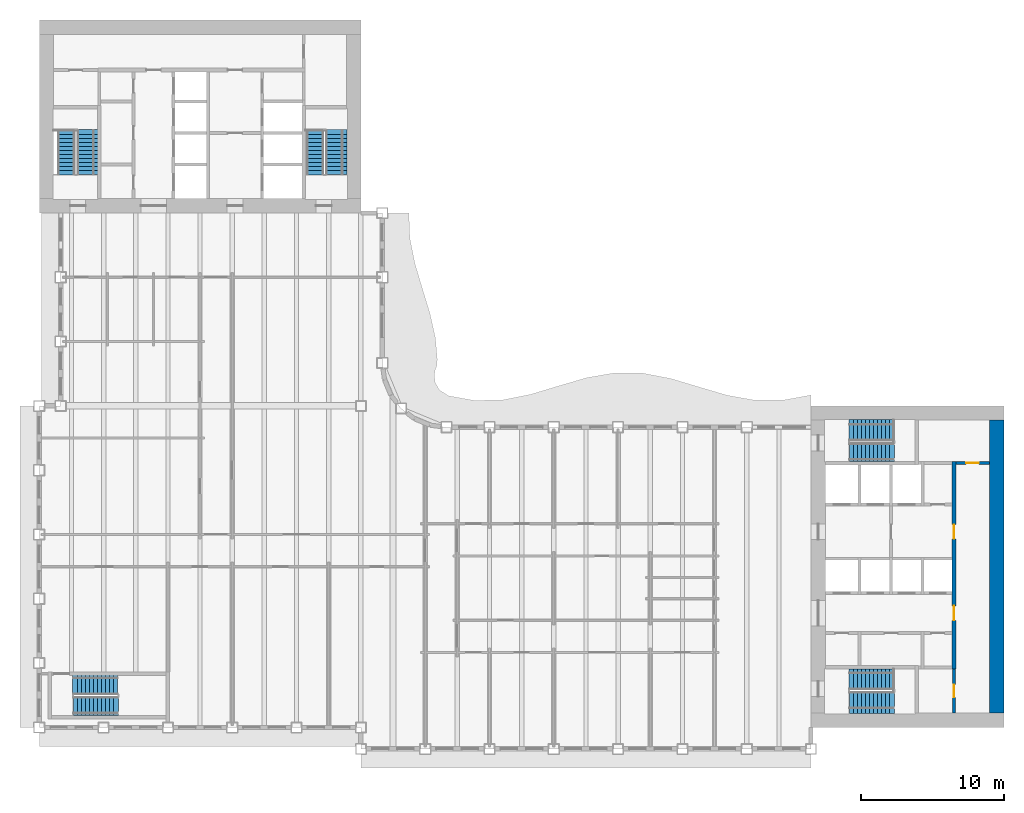
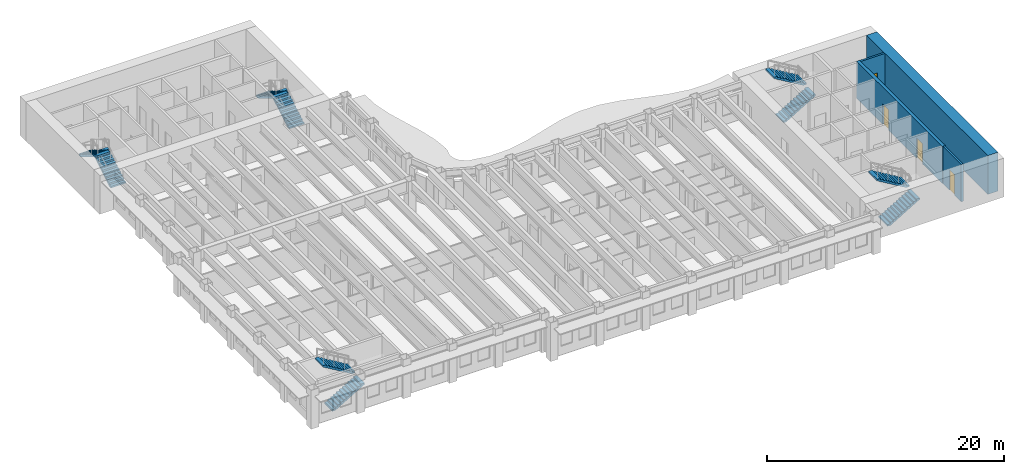
# One storey, part 10 of 16: 10 stair flights, 4 doors, 4 walls, 4 openings, 5 elements without a shape of their own.
"""IFC4 building model written with IfcOpenShell, lengths in metres."""

import ifcopenshell
import ifcopenshell.guid

model = None  # the IFC model being written
_history = None  # IfcOwnerHistory: only IFC2X3 demands one
_inside = {}  # id of a spatial element -> (the spatial element, [elements in it])
_under = {}  # id of a project, library or spatial element -> (it, [spatial elements below it])
_declared = {}  # id of a project -> (the project, [libraries it declares])
_typed = {}  # id of a type object -> (the type object, [elements of that type])
_made_of = {}  # id of a material, layer set ... -> (it, [elements and type objects made of it])


def new_model(schema):
    """Start an empty IFC model of exactly this schema.

    Asked for "IFC4X3", IfcOpenShell would pick the latest addendum, in which some entities
    have other attributes; the version numbers below select the first issue.
    IFC2X3 requires an IfcOwnerHistory on every rooted entity: one is made here for all.
    """
    global model, _history
    if schema == "IFC4X3":
        model = ifcopenshell.file(schema_version=(4, 3, 0, 0))
    else:
        model = ifcopenshell.file(schema=schema)
    _inside.clear()
    _under.clear()
    _declared.clear()
    _typed.clear()
    _made_of.clear()
    _history = None
    if model.schema == "IFC2X3":
        org = make("IfcOrganization", Name="unknown")
        user = make(
            "IfcPersonAndOrganization",
            ThePerson=make("IfcPerson", FamilyName="unknown"),
            TheOrganization=org,
        )
        app = make(
            "IfcApplication",
            ApplicationDeveloper=org,
            Version="unknown",
            ApplicationFullName="unknown",
            ApplicationIdentifier="unknown",
        )
        _history = make(
            "IfcOwnerHistory",
            OwningUser=user,
            OwningApplication=app,
            ChangeAction="ADDED",
            CreationDate=0,
        )
    return model


def make(cls, **values):
    """One entity of the class cls with the attributes given. An attribute that is None is left unset."""
    return model.create_entity(
        cls, **{name: value for name, value in values.items() if value is not None}
    )


def rooted(cls, **values):
    """An entity with a GlobalId (a new one), such as an element, a storey or a relation."""
    return make(cls, GlobalId=ifcopenshell.guid.new(), OwnerHistory=_history, **values)


def si_unit(unit_type, name, prefix=None):
    """IfcSIUnit, for example si_unit("LENGTHUNIT", "METRE", prefix="MILLI")."""
    return make("IfcSIUnit", UnitType=unit_type, Prefix=prefix, Name=name)


def assignment(units):
    """IfcUnitAssignment: the units of a project."""
    return None if units is None else make("IfcUnitAssignment", Units=units)


def point(xyz):
    """IfcCartesianPoint."""
    return None if xyz is None else make("IfcCartesianPoint", Coordinates=xyz)


def direction(xyz):
    """IfcDirection."""
    return None if xyz is None else make("IfcDirection", DirectionRatios=xyz)


def frame(location, z_axis=None, x_axis=None):
    """IfcAxis2Placement3D, a coordinate frame: its origin and axes. An axis left out is left unset."""
    return make(
        "IfcAxis2Placement3D",
        Location=point(location),
        Axis=direction(z_axis),
        RefDirection=direction(x_axis),
    )


def frame_2d(location, x_axis=None):
    """IfcAxis2Placement2D, a coordinate frame in the plane: its origin and x axis."""
    return make(
        "IfcAxis2Placement2D", Location=point(location), RefDirection=direction(x_axis)
    )


def origin():
    """The frame at (0, 0, 0) with its axes left unset."""
    return frame((0.0, 0.0, 0.0))


def place(relative_to, where):
    """IfcLocalPlacement: puts the frame where relative to a parent placement (None: the world)."""
    return make(
        "IfcLocalPlacement", PlacementRelTo=relative_to, RelativePlacement=where
    )


def context(
    kind, dimensions, precision=None, world=None, true_north=None, identifier=None
):
    """IfcGeometricRepresentationContext, for example the 3D "Model" context."""
    return make(
        "IfcGeometricRepresentationContext",
        ContextIdentifier=identifier,
        ContextType=kind,
        CoordinateSpaceDimension=dimensions,
        Precision=precision,
        WorldCoordinateSystem=world,
        TrueNorth=true_north,
    )


def subcontext(parent, identifier, kind, view, scale=None):
    """IfcGeometricRepresentationSubContext, for example "Body" below "Model"."""
    return make(
        "IfcGeometricRepresentationSubContext",
        ContextIdentifier=identifier,
        ContextType=kind,
        ParentContext=parent,
        TargetScale=scale,
        TargetView=view,
    )


def project(units=None, contexts=None):
    """IfcProject with its units and contexts."""
    return rooted(
        "IfcProject",
        Name="project",
        RepresentationContexts=contexts,
        UnitsInContext=assignment(units),
    )


def spatial(cls, under=None, at=None, **own):
    """A site, building, storey or space (cls), placed at a placement, below another one or the project."""
    s = rooted(cls, ObjectPlacement=at, **own)
    if under is not None:
        _under.setdefault(under.id(), (under, []))[1].append(s)
    return s


def polyline(points):
    """IfcPolyline through the points."""
    return make("IfcPolyline", Points=[point(p) for p in points])


def profile(cls, at=None, kind="AREA", **sizes):
    """A parametric profile (cls). Its sizes go by their IFC names, for example OverallWidth=200.0."""
    return make(cls, ProfileType=kind, Position=at, **sizes)


def rectangle(**sizes):
    """IfcRectangleProfileDef."""
    return profile("IfcRectangleProfileDef", **sizes)


def outline(outer, holes=None, kind="AREA"):
    """IfcArbitraryClosedProfileDef: a profile drawn as a closed curve; with holes, ...WithVoids."""
    if holes is None:
        return make("IfcArbitraryClosedProfileDef", ProfileType=kind, OuterCurve=outer)
    return make(
        "IfcArbitraryProfileDefWithVoids",
        ProfileType=kind,
        OuterCurve=outer,
        InnerCurves=holes,
    )


def extrude(swept, where, along, depth):
    """IfcExtrudedAreaSolid: the profile swept, set in the frame where, extruded along a direction by depth."""
    return make(
        "IfcExtrudedAreaSolid",
        SweptArea=swept,
        Position=where,
        ExtrudedDirection=direction(along),
        Depth=depth,
    )


def shape(context_of_items, identifier, shape_type, items):
    """IfcShapeRepresentation: the items that make up one representation, for example the "Body"."""
    return make(
        "IfcShapeRepresentation",
        ContextOfItems=context_of_items,
        RepresentationIdentifier=identifier,
        RepresentationType=shape_type,
        Items=items,
    )


def material(Name=None, Category=None):
    """IfcMaterial."""
    return make("IfcMaterial", Name=Name, Category=Category)


def layer(
    of_material, thickness, ventilated=None, Name=None, Category=None, Priority=None
):
    """IfcMaterialLayer: one layer of a wall or slab, of a material (None: an air gap)."""
    return make(
        "IfcMaterialLayer",
        Material=of_material,
        LayerThickness=thickness,
        IsVentilated=ventilated,
        Name=Name,
        Category=Category,
        Priority=Priority,
    )


def layer_set(layers, Name=None):
    """IfcMaterialLayerSet."""
    return make("IfcMaterialLayerSet", MaterialLayers=layers, LayerSetName=Name)


def made_of(thing, what):
    """Note that an element or type object is made of a material, layer set ...; save() writes the relation."""
    if what is not None:
        _made_of.setdefault(what.id(), (what, []))[1].append(thing)
    return thing


def type_object(cls, material=None, **own):
    """A type object (cls), such as IfcWallType, which elements share."""
    return made_of(rooted(cls, **own), material)


def element(
    cls,
    number,
    at=None,
    inside=None,
    cuts=None,
    type_object=None,
    material=None,
    context=None,
    identifier="Body",
    shape_type=None,
    held_by="IfcProductDefinitionShape",
    body=None,
    shapes=None,
    **own,
):
    """One element of the class cls, such as IfcWall. Its Tag is "e" and its number.

    at: its placement. inside: the storey or other place that contains it. cuts: it is an
    opening in that element (IfcRelVoidsElement). A single representation is given by context,
    identifier, shape_type and body (its items); several are given by shapes. held_by: the class
    of the entity that holds the representations. save() writes the other relations.
    """
    e = rooted(cls, Tag="e%d" % number, ObjectPlacement=at, **own)
    if body is not None:
        shapes = [shape(context, identifier, shape_type, body)]
    if shapes is not None:
        e.Representation = make(held_by, Representations=shapes)
    if inside is not None:
        _inside.setdefault(inside.id(), (inside, []))[1].append(e)
    if cuts is not None:
        rooted(
            "IfcRelVoidsElement", RelatingBuildingElement=cuts, RelatedOpeningElement=e
        )
    if type_object is not None:
        _typed.setdefault(type_object.id(), (type_object, []))[1].append(e)
    return made_of(e, material)


def fill(opening, filler):
    """IfcRelFillsElement: the door or window that sits in an opening."""
    return rooted(
        "IfcRelFillsElement",
        RelatingOpeningElement=opening,
        RelatedBuildingElement=filler,
    )


def aggregate(whole, parts):
    """IfcRelAggregates: a whole, such as a stair, and the parts it consists of."""
    return rooted("IfcRelAggregates", RelatingObject=whole, RelatedObjects=parts)


def save(model, path):
    """Write the relations noted so far, then the file.

    IfcRelAggregates (storeys below a building ...), IfcRelContainedInSpatialStructure (elements
    in a storey), IfcRelDefinesByType, IfcRelAssociatesMaterial and IfcRelDeclares: one each for
    every whole, place, type object, material and project.
    """
    for whole, parts in _under.values():
        aggregate(whole, parts)
    for where, things in _inside.values():
        rooted(
            "IfcRelContainedInSpatialStructure",
            RelatedElements=things,
            RelatingStructure=where,
        )
    for kind, things in _typed.values():
        rooted("IfcRelDefinesByType", RelatedObjects=things, RelatingType=kind)
    for what, things in _made_of.values():
        rooted("IfcRelAssociatesMaterial", RelatedObjects=things, RelatingMaterial=what)
    for by, libraries in _declared.values():
        rooted("IfcRelDeclares", RelatingContext=by, RelatedDefinitions=libraries)
    model.write(path)


model = new_model("IFC4")

# Units and contexts
model_context = context("Model", 3, precision=1e-05, world=origin(), true_north=direction((0.0, 1.0)))
body_context = subcontext(model_context, "Body", "Model", "MODEL_VIEW")
ifc_project = project(units=[si_unit("LENGTHUNIT", "METRE"), si_unit("AREAUNIT", "SQUARE_METRE"), si_unit("VOLUMEUNIT", "CUBIC_METRE"), si_unit("PLANEANGLEUNIT", "RADIAN"), si_unit("MASSUNIT", "GRAM", prefix="KILO")], contexts=[model_context])

# Site, building, storey
site_placement = place(None, origin())
site = spatial("IfcSite", under=ifc_project, at=site_placement, CompositionType="ELEMENT")
building_placement = place(site_placement, origin())
building = spatial("IfcBuilding", under=site, at=building_placement, Name="Sennacour Bend Tower", CompositionType="ELEMENT")
storey_placement = place(building_placement, frame((0.0, 0.0, 211.0)))
storey = spatial("IfcBuildingStorey", under=building, at=storey_placement, Name="L48", CompositionType="ELEMENT", Elevation=211.0)

# Wall
ifc_material_1 = material(Name="Concrete C60/75", Category="concrete")
ifc_layer_1 = layer(ifc_material_1, 1.0, Name="Concrete C60/75", Category="concrete")
ifc_layer_set_1 = layer_set([ifc_layer_1], Name="Concrete C60/75")
wall_type_1 = type_object("IfcWallType", Name="Core wall 1000 C60/75", PredefinedType="SHEAR", material=ifc_layer_set_1)
wall_1_placement = place(storey_placement, frame((67.0, 1.0, -0.14990234375), z_axis=(0.0, 0.0, 1.0), x_axis=(0.0, 1.0, 0.0)))
element("IfcWall", 1, at=wall_1_placement, inside=storey, type_object=wall_type_1, Name="Core A wall L48 E", PredefinedType="SHEAR", context=body_context, shape_type="SweptSolid", body=[
    extrude(rectangle(XDim=20.5, YDim=1.0, at=frame_2d((10.25, 0.0))), origin(), (0.0, 0.0, 1.0), 4.0),
])

# Wall, opening, door
ifc_material_2 = material(Name="Fire-rated plasterboard partition on steel studs", Category="steel")
ifc_layer_2 = layer(ifc_material_2, 0.199951171875, Name="Fire-rated plasterboard partition on steel studs", Category="steel")
ifc_layer_set_2 = layer_set([ifc_layer_2], Name="Fire-rated plasterboard partition on steel studs")
wall_type_2 = type_object("IfcWallType", Name="Rated partition 200", PredefinedType="PARTITIONING", material=ifc_layer_set_2)
wall_2_placement = place(storey_placement, frame((64.0, 1.0, 0.0), z_axis=(0.0, 0.0, 1.0), x_axis=(0.0, 1.0, 0.0)))
wall_2 = element("IfcWall", 2, at=wall_2_placement, inside=storey, type_object=wall_type_2, Name="P-L48-W047", PredefinedType="PARTITIONING", context=body_context, shape_type="SweptSolid", body=[
    extrude(rectangle(XDim=3.10009765625, YDim=0.199951171875, at=frame_2d((1.550048828125, 0.0))), origin(), (0.0, 0.0, 1.0), 3.85009765625),
])
opening_1_placement = place(wall_2_placement, frame((1.10009765625, 0.0, 0.0)))
opening_1 = element("IfcOpeningElement", 3, at=opening_1_placement, cuts=wall_2, Name="Opening SV", PredefinedType="OPENING", context=body_context, shape_type="SweptSolid", body=[
    extrude(rectangle(XDim=0.89990234375, YDim=2.10009765625, at=frame_2d((0.449951171875, 1.050048828125))), frame((0.0, 0.10986328125, 0.0), z_axis=(0.0, -1.0, 0.0), x_axis=(1.0, 0.0, 0.0)), (0.0, 0.0, 1.0), 0.219970703125),
])
ifc_material_3 = material(Name="Painted steel", Category="steel")
door_type_1 = type_object("IfcDoorType", Name="DR-SERVICE-900", OperationType="NOTDEFINED", PredefinedType="DOOR", material=ifc_material_3)
door_1_placement = place(opening_1_placement, origin())
door_1 = element("IfcDoor", 4, at=door_1_placement, inside=storey, type_object=door_type_1, Name="Door", OperationType="SINGLE_SWING_LEFT", OverallHeight=2.10009765625, OverallWidth=0.89990234375, PredefinedType="DOOR", context=body_context, shape_type="SweptSolid", body=[
    extrude(rectangle(XDim=0.89990234375, YDim=2.10009765625, at=frame_2d((0.449951171875, 1.050048828125))), frame((0.0, 0.02490234375, 0.0), z_axis=(0.0, -1.0, 0.0), x_axis=(1.0, 0.0, 0.0)), (0.0, 0.0, 1.0), 0.050048828125),
])
fill(opening_1, door_1)

wall_3_placement = place(storey_placement, frame((64.14990234375, 18.5, 0.0), z_axis=(0.0, 0.0, 1.0), x_axis=(1.0, 0.0, 0.0)))
wall_3 = element("IfcWall", 5, at=wall_3_placement, inside=storey, type_object=wall_type_2, Name="P-L48-W070b", PredefinedType="PARTITIONING", context=body_context, shape_type="SweptSolid", body=[
    extrude(rectangle(XDim=2.35009765625, YDim=0.199951171875, at=frame_2d((1.175048828125, 0.0))), origin(), (0.0, 0.0, 1.0), 3.85009765625),
])
opening_2_placement = place(wall_3_placement, frame((0.7001953125, 0.0, 0.0)))
opening_2 = element("IfcOpeningElement", 6, at=opening_2_placement, cuts=wall_3, Name="Opening SV", PredefinedType="OPENING", context=body_context, shape_type="SweptSolid", body=[
    extrude(rectangle(XDim=0.89990234375, YDim=2.10009765625, at=frame_2d((0.449951171875, 1.050048828125))), frame((0.0, 0.10986328125, 0.0), z_axis=(0.0, -1.0, 0.0), x_axis=(1.0, 0.0, 0.0)), (0.0, 0.0, 1.0), 0.219970703125),
])
door_2_placement = place(opening_2_placement, origin())
door_2 = element("IfcDoor", 7, at=door_2_placement, inside=storey, type_object=door_type_1, Name="Door", OperationType="SINGLE_SWING_LEFT", OverallHeight=2.10009765625, OverallWidth=0.89990234375, PredefinedType="DOOR", context=body_context, shape_type="SweptSolid", body=[
    extrude(rectangle(XDim=0.89990234375, YDim=2.10009765625, at=frame_2d((0.449951171875, 1.050048828125))), frame((0.0, 0.02490234375, 0.0), z_axis=(0.0, -1.0, 0.0), x_axis=(1.0, 0.0, 0.0)), (0.0, 0.0, 1.0), 0.050048828125),
])
fill(opening_2, door_2)

# Wall, openings, doors
ifc_layer_3 = layer(ifc_material_1, 0.300048828125, Name="Concrete C60/75", Category="concrete")
ifc_layer_set_3 = layer_set([ifc_layer_3], Name="Concrete C60/75")
wall_type_3 = type_object("IfcWallType", Name="Spine wall 300", PredefinedType="SHEAR", material=ifc_layer_set_3)
wall_4_placement = place(storey_placement, frame((64.0, 4.10009765625, 0.0), z_axis=(0.0, 0.0, 1.0), x_axis=(0.0, 1.0, 0.0)))
wall_4 = element("IfcWall", 8, at=wall_4_placement, inside=storey, type_object=wall_type_3, Name="P-L48-W048", PredefinedType="SHEAR", context=body_context, shape_type="SweptSolid", body=[
    extrude(rectangle(XDim=14.5, YDim=0.300048828125, at=frame_2d((7.25, 0.0))), origin(), (0.0, 0.0, 1.0), 3.85009765625),
])
opening_3_placement = place(wall_4_placement, frame((3.39990234375, 0.0, 0.0)))
opening_3 = element("IfcOpeningElement", 9, at=opening_3_placement, cuts=wall_4, Name="Opening CD2", PredefinedType="OPENING", context=body_context, shape_type="SweptSolid", body=[
    extrude(rectangle(XDim=1.0, YDim=2.10009765625, at=frame_2d((0.5, 1.050048828125))), frame((0.0, 0.16015625, 0.0), z_axis=(0.0, -1.0, 0.0), x_axis=(1.0, 0.0, 0.0)), (0.0, 0.0, 1.0), 0.320068359375),
])
opening_4_placement = place(wall_4_placement, frame((9.099853515625, 0.0, 0.0)))
opening_4 = element("IfcOpeningElement", 10, at=opening_4_placement, cuts=wall_4, Name="Opening CD2", PredefinedType="OPENING", context=body_context, shape_type="SweptSolid", body=[
    extrude(rectangle(XDim=1.0, YDim=2.10009765625, at=frame_2d((0.5, 1.050048828125))), frame((0.0, 0.16015625, 0.0), z_axis=(0.0, -1.0, 0.0), x_axis=(1.0, 0.0, 0.0)), (0.0, 0.0, 1.0), 0.320068359375),
])
door_type_2 = type_object("IfcDoorType", Name="DR-LOBBY-1000", OperationType="NOTDEFINED", PredefinedType="DOOR", material=ifc_material_3)
door_3_placement = place(opening_3_placement, origin())
door_3 = element("IfcDoor", 11, at=door_3_placement, inside=storey, type_object=door_type_2, Name="Door", OperationType="SINGLE_SWING_LEFT", OverallHeight=2.10009765625, OverallWidth=1.0, PredefinedType="DOOR", context=body_context, shape_type="SweptSolid", body=[
    extrude(rectangle(XDim=1.0, YDim=2.10009765625, at=frame_2d((0.5, 1.050048828125))), frame((0.0, 0.02490234375, 0.0), z_axis=(0.0, -1.0, 0.0), x_axis=(1.0, 0.0, 0.0)), (0.0, 0.0, 1.0), 0.050048828125),
])
fill(opening_3, door_3)
door_4_placement = place(opening_4_placement, origin())
door_4 = element("IfcDoor", 12, at=door_4_placement, inside=storey, type_object=door_type_2, Name="Door", OperationType="SINGLE_SWING_RIGHT", OverallHeight=2.10009765625, OverallWidth=1.0, PredefinedType="DOOR", context=body_context, shape_type="SweptSolid", body=[
    extrude(rectangle(XDim=1.0, YDim=2.10009765625, at=frame_2d((0.5, 1.050048828125))), frame((0.0, 0.02490234375, 0.0), z_axis=(0.0, -1.0, 0.0), x_axis=(1.0, 0.0, 0.0)), (0.0, 0.0, 1.0), 0.050048828125),
])
fill(opening_4, door_4)

# Stair, stair flights
ifc_material_4 = material(Name="Concrete C40/50", Category="concrete")
stair_type = type_object("IfcStairType", Name="ST-DOGLEG", PredefinedType="HALF_TURN_STAIR", material=ifc_material_4)
stair_1_placement = place(storey_placement, origin())
stair_1 = element("IfcStair", 13, at=stair_1_placement, inside=storey, type_object=stair_type, Name="L48 Exit stair A1", PredefinedType="HALF_TURN_STAIR")
stair_flight_type = type_object("IfcStairFlightType", Name="SFL-RC", PredefinedType="STRAIGHT", material=ifc_material_4)
stair_flight_1_placement = place(storey_placement, frame((56.699951171875, 1.735107421875, 0.0), z_axis=(0.0, 0.0, 1.0), x_axis=(1.0, 0.0, 0.0)))
stair_flight_1 = element("IfcStairFlight", 14, at=stair_flight_1_placement, type_object=stair_flight_type, Name="SA1 flight 1", NumberOfRisers=12, NumberOfTreads=11, PredefinedType="STRAIGHT", RiserHeight=0.166666667, TreadLength=0.28, context=body_context, shape_type="SweptSolid", body=[
    extrude(outline(polyline([(0.0, 0.0), (0.0, 0.166748046875), (0.280029296875, 0.166748046875), (0.280029296875, 0.333251953125), (0.56005859375, 0.333251953125), (0.56005859375, 0.5), (0.840087890625, 0.5), (0.840087890625, 0.666748046875), (1.1201171875, 0.666748046875), (1.1201171875, 0.833251953125), (1.39990234375, 0.833251953125), (1.39990234375, 1.0), (1.679931640625, 1.0), (1.679931640625, 1.166748046875), (1.9599609375, 1.166748046875), (1.9599609375, 1.333251953125), (2.239990234375, 1.333251953125), (2.239990234375, 1.5), (2.52001953125, 1.5), (2.52001953125, 1.666748046875), (2.800048828125, 1.666748046875), (2.800048828125, 1.833251953125), (3.080078125, 1.833251953125), (3.139892578125, 1.833251953125), (3.139892578125, 1.658935546875), (3.080078125, 1.658935546875), (0.29296875, 0.0), (0.0, 0.0)])), frame((0.0, 0.76513671875, 0.0), z_axis=(0.0, -1.0, 0.0), x_axis=(1.0, 0.0, 0.0)), (0.0, 0.0, 1.0), 1.530029296875),
])
stair_flight_2_placement = place(storey_placement, frame((59.780029296875, 3.37744140625, 2.0), z_axis=(0.0, 0.0, 1.0), x_axis=(-1.0, 0.0, 0.0)))
stair_flight_2 = element("IfcStairFlight", 15, at=stair_flight_2_placement, type_object=stair_flight_type, Name="SA1 flight 2", NumberOfRisers=12, NumberOfTreads=11, PredefinedType="STRAIGHT", RiserHeight=0.166666667, TreadLength=0.28, context=body_context, shape_type="SweptSolid", body=[
    extrude(outline(polyline([(0.0, 0.0), (0.0, 0.166748046875), (0.280029296875, 0.166748046875), (0.280029296875, 0.333251953125), (0.56005859375, 0.333251953125), (0.56005859375, 0.5), (0.840087890625, 0.5), (0.840087890625, 0.666748046875), (1.1201171875, 0.666748046875), (1.1201171875, 0.833251953125), (1.39990234375, 0.833251953125), (1.39990234375, 1.0), (1.679931640625, 1.0), (1.679931640625, 1.166748046875), (1.9599609375, 1.166748046875), (1.9599609375, 1.333251953125), (2.239990234375, 1.333251953125), (2.239990234375, 1.5), (2.52001953125, 1.5), (2.52001953125, 1.666748046875), (2.800048828125, 1.666748046875), (2.800048828125, 1.833251953125), (3.080078125, 1.833251953125), (3.139892578125, 1.833251953125), (3.139892578125, 1.658935546875), (3.080078125, 1.658935546875), (0.29296875, 0.0), (0.0, 0.0)])), frame((0.0, 0.7275390625, 0.0), z_axis=(0.0, -1.0, 0.0), x_axis=(1.0, 0.0, 0.0)), (0.0, 0.0, 1.0), 1.455078125),
])
aggregate(stair_1, [stair_flight_1, stair_flight_2])

stair_2_placement = place(storey_placement, origin())
stair_2 = element("IfcStair", 16, at=stair_2_placement, inside=storey, type_object=stair_type, Name="L48 Exit stair A2", PredefinedType="HALF_TURN_STAIR")
stair_flight_3_placement = place(storey_placement, frame((56.699951171875, 19.24755859375, 0.0), z_axis=(0.0, 0.0, 1.0), x_axis=(1.0, 0.0, 0.0)))
stair_flight_3 = element("IfcStairFlight", 17, at=stair_flight_3_placement, type_object=stair_flight_type, Name="SA2 flight 1", NumberOfRisers=12, NumberOfTreads=11, PredefinedType="STRAIGHT", RiserHeight=0.166666667, TreadLength=0.28, context=body_context, shape_type="SweptSolid", body=[
    extrude(outline(polyline([(0.0, 0.0), (0.0, 0.166748046875), (0.280029296875, 0.166748046875), (0.280029296875, 0.333251953125), (0.56005859375, 0.333251953125), (0.56005859375, 0.5), (0.840087890625, 0.5), (0.840087890625, 0.666748046875), (1.1201171875, 0.666748046875), (1.1201171875, 0.833251953125), (1.39990234375, 0.833251953125), (1.39990234375, 1.0), (1.679931640625, 1.0), (1.679931640625, 1.166748046875), (1.9599609375, 1.166748046875), (1.9599609375, 1.333251953125), (2.239990234375, 1.333251953125), (2.239990234375, 1.5), (2.52001953125, 1.5), (2.52001953125, 1.666748046875), (2.800048828125, 1.666748046875), (2.800048828125, 1.833251953125), (3.080078125, 1.833251953125), (3.139892578125, 1.833251953125), (3.139892578125, 1.658935546875), (3.080078125, 1.658935546875), (0.29296875, 0.0), (0.0, 0.0)])), frame((0.0, 0.65234375, 0.0), z_axis=(0.0, -1.0, 0.0), x_axis=(1.0, 0.0, 0.0)), (0.0, 0.0, 1.0), 1.304931640625),
])
stair_flight_4_placement = place(storey_placement, frame((59.780029296875, 20.7900390625, 2.0), z_axis=(0.0, 0.0, 1.0), x_axis=(-1.0, 0.0, 0.0)))
stair_flight_4 = element("IfcStairFlight", 18, at=stair_flight_4_placement, type_object=stair_flight_type, Name="SA2 flight 2", NumberOfRisers=12, NumberOfTreads=11, PredefinedType="STRAIGHT", RiserHeight=0.166666667, TreadLength=0.28, context=body_context, shape_type="SweptSolid", body=[
    extrude(outline(polyline([(0.0, 0.0), (0.0, 0.166748046875), (0.280029296875, 0.166748046875), (0.280029296875, 0.333251953125), (0.56005859375, 0.333251953125), (0.56005859375, 0.5), (0.840087890625, 0.5), (0.840087890625, 0.666748046875), (1.1201171875, 0.666748046875), (1.1201171875, 0.833251953125), (1.39990234375, 0.833251953125), (1.39990234375, 1.0), (1.679931640625, 1.0), (1.679931640625, 1.166748046875), (1.9599609375, 1.166748046875), (1.9599609375, 1.333251953125), (2.239990234375, 1.333251953125), (2.239990234375, 1.5), (2.52001953125, 1.5), (2.52001953125, 1.666748046875), (2.800048828125, 1.666748046875), (2.800048828125, 1.833251953125), (3.080078125, 1.833251953125), (3.139892578125, 1.833251953125), (3.139892578125, 1.658935546875), (3.080078125, 1.658935546875), (0.29296875, 0.0), (0.0, 0.0)])), frame((0.0, 0.739990234375, 0.0), z_axis=(0.0, -1.0, 0.0), x_axis=(1.0, 0.0, 0.0)), (0.0, 0.0, 1.0), 1.47998046875),
])
aggregate(stair_2, [stair_flight_3, stair_flight_4])

stair_3_placement = place(storey_placement, origin())
stair_3 = element("IfcStair", 19, at=stair_3_placement, inside=storey, type_object=stair_type, Name="L48 Exit stair B1", PredefinedType="HALF_TURN_STAIR")
stair_flight_5_placement = place(storey_placement, frame((3.37744140625, 38.699951171875, 0.0), z_axis=(0.0, 0.0, 1.0), x_axis=(0.0, 1.0, 0.0)))
stair_flight_5 = element("IfcStairFlight", 20, at=stair_flight_5_placement, type_object=stair_flight_type, Name="SB1 flight 1", NumberOfRisers=12, NumberOfTreads=11, PredefinedType="STRAIGHT", RiserHeight=0.166666667, TreadLength=0.28, context=body_context, shape_type="SweptSolid", body=[
    extrude(outline(polyline([(0.0, 0.0), (0.0, 0.166748046875), (0.280029296875, 0.166748046875), (0.280029296875, 0.333251953125), (0.56005859375, 0.333251953125), (0.56005859375, 0.5), (0.840087890625, 0.5), (0.840087890625, 0.666748046875), (1.1201171875, 0.666748046875), (1.1201171875, 0.833251953125), (1.39990234375, 0.833251953125), (1.39990234375, 1.0), (1.679931640625, 1.0), (1.679931640625, 1.166748046875), (1.9599609375, 1.166748046875), (1.9599609375, 1.333251953125), (2.239990234375, 1.333251953125), (2.239990234375, 1.5), (2.52001953125, 1.5), (2.52001953125, 1.666748046875), (2.800048828125, 1.666748046875), (2.800048828125, 1.833251953125), (3.080078125, 1.833251953125), (3.139892578125, 1.833251953125), (3.139892578125, 1.658935546875), (3.080078125, 1.658935546875), (0.29296875, 0.0), (0.0, 0.0)])), frame((0.0, 0.7275390625, 0.0), z_axis=(0.0, -1.0, 0.0), x_axis=(1.0, 0.0, 0.0)), (0.0, 0.0, 1.0), 1.455078125),
])
stair_flight_6_placement = place(storey_placement, frame((1.89990234375, 41.780029296875, 2.0), z_axis=(0.0, 0.0, 1.0), x_axis=(0.0, -1.0, 0.0)))
stair_flight_6 = element("IfcStairFlight", 21, at=stair_flight_6_placement, type_object=stair_flight_type, Name="SB1 flight 2", NumberOfRisers=12, NumberOfTreads=11, PredefinedType="STRAIGHT", RiserHeight=0.166666667, TreadLength=0.28, context=body_context, shape_type="SweptSolid", body=[
    extrude(outline(polyline([(0.0, 0.0), (0.0, 0.166748046875), (0.280029296875, 0.166748046875), (0.280029296875, 0.333251953125), (0.56005859375, 0.333251953125), (0.56005859375, 0.5), (0.840087890625, 0.5), (0.840087890625, 0.666748046875), (1.1201171875, 0.666748046875), (1.1201171875, 0.833251953125), (1.39990234375, 0.833251953125), (1.39990234375, 1.0), (1.679931640625, 1.0), (1.679931640625, 1.166748046875), (1.9599609375, 1.166748046875), (1.9599609375, 1.333251953125), (2.239990234375, 1.333251953125), (2.239990234375, 1.5), (2.52001953125, 1.5), (2.52001953125, 1.666748046875), (2.800048828125, 1.666748046875), (2.800048828125, 1.833251953125), (3.080078125, 1.833251953125), (3.139892578125, 1.833251953125), (3.139892578125, 1.658935546875), (3.080078125, 1.658935546875), (0.29296875, 0.0), (0.0, 0.0)])), frame((0.0, 0.60009765625, 0.0), z_axis=(0.0, -1.0, 0.0), x_axis=(1.0, 0.0, 0.0)), (0.0, 0.0, 1.0), 1.199951171875),
])
aggregate(stair_3, [stair_flight_5, stair_flight_6])

stair_4_placement = place(storey_placement, origin())
stair_4 = element("IfcStair", 22, at=stair_4_placement, inside=storey, type_object=stair_type, Name="L48 Exit stair B2", PredefinedType="HALF_TURN_STAIR")
stair_flight_7_placement = place(storey_placement, frame((20.7900390625, 38.699951171875, 0.0), z_axis=(0.0, 0.0, 1.0), x_axis=(0.0, 1.0, 0.0)))
stair_flight_7 = element("IfcStairFlight", 23, at=stair_flight_7_placement, type_object=stair_flight_type, Name="SB2 flight 1", NumberOfRisers=12, NumberOfTreads=11, PredefinedType="STRAIGHT", RiserHeight=0.166666667, TreadLength=0.28, context=body_context, shape_type="SweptSolid", body=[
    extrude(outline(polyline([(0.0, 0.0), (0.0, 0.166748046875), (0.280029296875, 0.166748046875), (0.280029296875, 0.333251953125), (0.56005859375, 0.333251953125), (0.56005859375, 0.5), (0.840087890625, 0.5), (0.840087890625, 0.666748046875), (1.1201171875, 0.666748046875), (1.1201171875, 0.833251953125), (1.39990234375, 0.833251953125), (1.39990234375, 1.0), (1.679931640625, 1.0), (1.679931640625, 1.166748046875), (1.9599609375, 1.166748046875), (1.9599609375, 1.333251953125), (2.239990234375, 1.333251953125), (2.239990234375, 1.5), (2.52001953125, 1.5), (2.52001953125, 1.666748046875), (2.800048828125, 1.666748046875), (2.800048828125, 1.833251953125), (3.080078125, 1.833251953125), (3.139892578125, 1.833251953125), (3.139892578125, 1.658935546875), (3.080078125, 1.658935546875), (0.29296875, 0.0), (0.0, 0.0)])), frame((0.0, 0.739990234375, 0.0), z_axis=(0.0, -1.0, 0.0), x_axis=(1.0, 0.0, 0.0)), (0.0, 0.0, 1.0), 1.47998046875),
])
stair_flight_8_placement = place(storey_placement, frame((19.24755859375, 41.780029296875, 2.0), z_axis=(0.0, 0.0, 1.0), x_axis=(0.0, -1.0, 0.0)))
stair_flight_8 = element("IfcStairFlight", 24, at=stair_flight_8_placement, type_object=stair_flight_type, Name="SB2 flight 2", NumberOfRisers=12, NumberOfTreads=11, PredefinedType="STRAIGHT", RiserHeight=0.166666667, TreadLength=0.28, context=body_context, shape_type="SweptSolid", body=[
    extrude(outline(polyline([(0.0, 0.0), (0.0, 0.166748046875), (0.280029296875, 0.166748046875), (0.280029296875, 0.333251953125), (0.56005859375, 0.333251953125), (0.56005859375, 0.5), (0.840087890625, 0.5), (0.840087890625, 0.666748046875), (1.1201171875, 0.666748046875), (1.1201171875, 0.833251953125), (1.39990234375, 0.833251953125), (1.39990234375, 1.0), (1.679931640625, 1.0), (1.679931640625, 1.166748046875), (1.9599609375, 1.166748046875), (1.9599609375, 1.333251953125), (2.239990234375, 1.333251953125), (2.239990234375, 1.5), (2.52001953125, 1.5), (2.52001953125, 1.666748046875), (2.800048828125, 1.666748046875), (2.800048828125, 1.833251953125), (3.080078125, 1.833251953125), (3.139892578125, 1.833251953125), (3.139892578125, 1.658935546875), (3.080078125, 1.658935546875), (0.29296875, 0.0), (0.0, 0.0)])), frame((0.0, 0.65234375, 0.0), z_axis=(0.0, -1.0, 0.0), x_axis=(1.0, 0.0, 0.0)), (0.0, 0.0, 1.0), 1.304931640625),
])
aggregate(stair_4, [stair_flight_7, stair_flight_8])

stair_5_placement = place(storey_placement, origin())
stair_5 = element("IfcStair", 25, at=stair_5_placement, inside=storey, type_object=stair_type, Name="L48 Exit stair K1", PredefinedType="HALF_TURN_STAIR")
stair_flight_9_placement = place(storey_placement, frame((2.39990234375, 1.485107421875, 0.0), z_axis=(0.0, 0.0, 1.0), x_axis=(1.0, 0.0, 0.0)))
stair_flight_9 = element("IfcStairFlight", 26, at=stair_flight_9_placement, type_object=stair_flight_type, Name="SK1 flight 1", NumberOfRisers=12, NumberOfTreads=11, PredefinedType="STRAIGHT", RiserHeight=0.166666667, TreadLength=0.28, context=body_context, shape_type="SweptSolid", body=[
    extrude(outline(polyline([(0.0, 0.0), (0.0, 0.166748046875), (0.280029296875, 0.166748046875), (0.280029296875, 0.333251953125), (0.56005859375, 0.333251953125), (0.56005859375, 0.5), (0.840087890625, 0.5), (0.840087890625, 0.666748046875), (1.1201171875, 0.666748046875), (1.1201171875, 0.833251953125), (1.39990234375, 0.833251953125), (1.39990234375, 1.0), (1.679931640625, 1.0), (1.679931640625, 1.166748046875), (1.9599609375, 1.166748046875), (1.9599609375, 1.333251953125), (2.239990234375, 1.333251953125), (2.239990234375, 1.5), (2.52001953125, 1.5), (2.52001953125, 1.666748046875), (2.800048828125, 1.666748046875), (2.800048828125, 1.833251953125), (3.080078125, 1.833251953125), (3.139892578125, 1.833251953125), (3.139892578125, 1.658935546875), (3.080078125, 1.658935546875), (0.29296875, 0.0), (0.0, 0.0)])), frame((0.0, 0.6650390625, 0.0), z_axis=(0.0, -1.0, 0.0), x_axis=(1.0, 0.0, 0.0)), (0.0, 0.0, 1.0), 1.330078125),
])
stair_flight_10_placement = place(storey_placement, frame((5.47998046875, 2.9775390625, 2.0), z_axis=(0.0, 0.0, 1.0), x_axis=(-1.0, 0.0, 0.0)))
stair_flight_10 = element("IfcStairFlight", 27, at=stair_flight_10_placement, type_object=stair_flight_type, Name="SK1 flight 2", NumberOfRisers=12, NumberOfTreads=11, PredefinedType="STRAIGHT", RiserHeight=0.166666667, TreadLength=0.28, context=body_context, shape_type="SweptSolid", body=[
    extrude(outline(polyline([(0.0, 0.0), (0.0, 0.166748046875), (0.280029296875, 0.166748046875), (0.280029296875, 0.333251953125), (0.56005859375, 0.333251953125), (0.56005859375, 0.5), (0.840087890625, 0.5), (0.840087890625, 0.666748046875), (1.1201171875, 0.666748046875), (1.1201171875, 0.833251953125), (1.39990234375, 0.833251953125), (1.39990234375, 1.0), (1.679931640625, 1.0), (1.679931640625, 1.166748046875), (1.9599609375, 1.166748046875), (1.9599609375, 1.333251953125), (2.239990234375, 1.333251953125), (2.239990234375, 1.5), (2.52001953125, 1.5), (2.52001953125, 1.666748046875), (2.800048828125, 1.666748046875), (2.800048828125, 1.833251953125), (3.080078125, 1.833251953125), (3.139892578125, 1.833251953125), (3.139892578125, 1.658935546875), (3.080078125, 1.658935546875), (0.29296875, 0.0), (0.0, 0.0)])), frame((0.0, 0.677490234375, 0.0), z_axis=(0.0, -1.0, 0.0), x_axis=(1.0, 0.0, 0.0)), (0.0, 0.0, 1.0), 1.35498046875),
])
aggregate(stair_5, [stair_flight_9, stair_flight_10])

save(model, "model.ifc")
